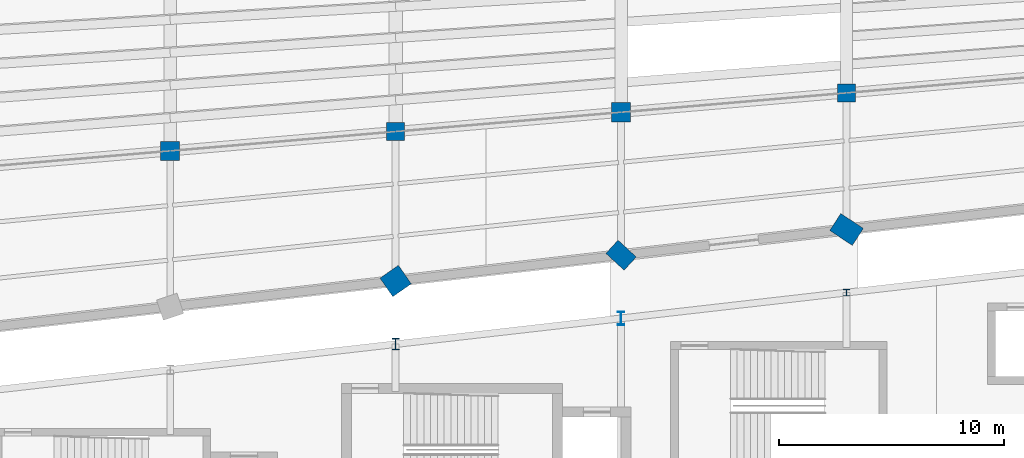
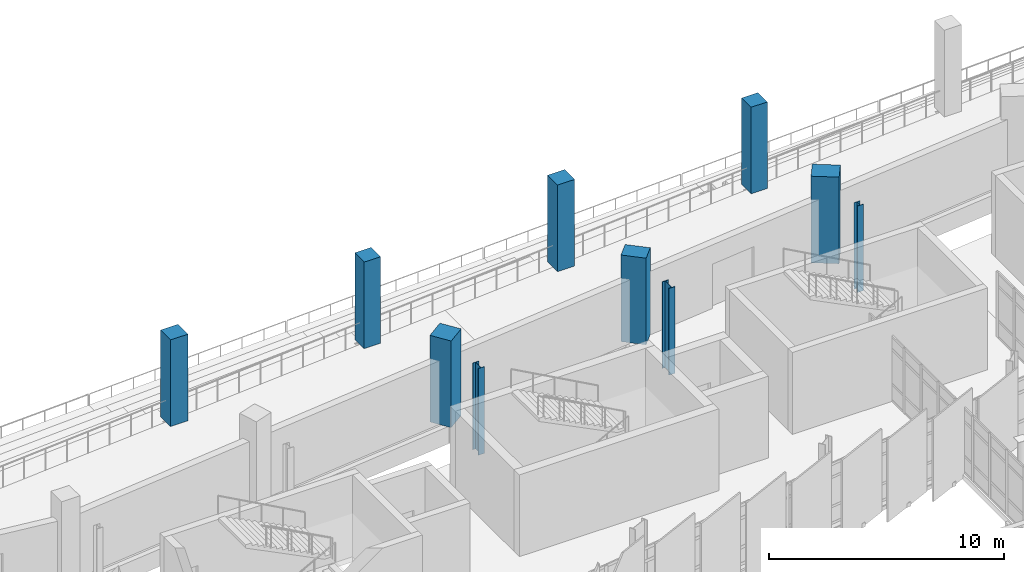
# One storey, part 9 of 134: 10 columns.
"""IFC4 building model written with IfcOpenShell, lengths in metres."""

from ifc_helpers import new_model, si_unit, direction, frame, origin, origin_2d, place, context, subcontext, project, spatial, rectangle, i_section, extrude, material, material_profile, profile_set, type_object, element, save


model = new_model("IFC4")

# Units and contexts
model_context = context("Model", 3, precision=1e-05, world=origin(), true_north=direction((0.0, 1.0)))
body_context = subcontext(model_context, "Body", "Model", "MODEL_VIEW")
ifc_project = project(units=[si_unit("LENGTHUNIT", "METRE"), si_unit("AREAUNIT", "SQUARE_METRE"), si_unit("VOLUMEUNIT", "CUBIC_METRE"), si_unit("PLANEANGLEUNIT", "RADIAN"), si_unit("MASSUNIT", "GRAM", prefix="KILO")], contexts=[model_context])

# Site, building, storey
site_placement = place(None, origin())
site = spatial("IfcSite", under=ifc_project, at=site_placement, CompositionType="ELEMENT")
building_placement = place(site_placement, origin())
building = spatial("IfcBuilding", under=site, at=building_placement, Name="Sohan Crest Arena", CompositionType="ELEMENT")
storey_placement = place(building_placement, frame((0.0, 0.0, 4.5)))
storey = spatial("IfcBuildingStorey", under=building, at=storey_placement, Name="L01", CompositionType="ELEMENT", Elevation=4.5)

# Columns
ifc_material_1 = material(Name="Concrete C40/50", Category="concrete")
ifc_material_profile_1 = material_profile(ifc_material_1, rectangle(XDim=0.800048828125, YDim=0.800048828125, at=origin_2d()), Name="RC 800x800")
ifc_profile_set_1 = profile_set([ifc_material_profile_1], Name="Concrete C40/50")
column_type_1 = type_object("IfcColumnType", Name="STR-COL-C05", PredefinedType="COLUMN", material=ifc_profile_set_1)
for number, where, z_axis, x_axis, name in (
    (1, (118.0, 55.9140625, 0.0), (0.0, 0.0, 1.0), (1.0, 0.0, 0.0), "Structural column COL-V1M-15-L01"),
    (2, (138.0, 57.62890625, 0.0), (0.0, 0.0, 1.0), (1.0, 0.0, 0.0), "Structural column COL-V1M-17-L01"),
):
    element("IfcColumn", number, at=place(storey_placement, frame(where, z_axis=z_axis, x_axis=x_axis)), inside=storey, type_object=column_type_1, Name=name, PredefinedType="COLUMN", context=body_context, shape_type="SweptSolid", body=[
        extrude(rectangle(XDim=0.800048828125, YDim=0.800048828125, at=origin_2d()), origin(), (0.0, 0.0, 1.0), 4.5),
    ])
ifc_material_profile_2 = material_profile(ifc_material_1, rectangle(XDim=0.85009765625, YDim=0.85009765625, at=origin_2d()), Name="RC 850x850")
ifc_profile_set_2 = profile_set([ifc_material_profile_2], Name="Concrete C40/50")
column_type_2 = type_object("IfcColumnType", Name="STR-COL-C06", PredefinedType="COLUMN", material=ifc_profile_set_2)
for number, where, z_axis, x_axis, name in (
    (3, (108.0, 55.056884765625, 0.0), (0.0, 0.0, 1.0), (1.0, 0.0, 0.0), "Structural column COL-V1M-14-L01"),
    (4, (128.0, 56.77099609375, 0.0), (0.0, 0.0, 1.0), (1.0, 0.0, 0.0), "Structural column COL-V1M-16-L01"),
):
    element("IfcColumn", number, at=place(storey_placement, frame(where, z_axis=z_axis, x_axis=x_axis)), inside=storey, type_object=column_type_2, Name=name, PredefinedType="COLUMN", context=body_context, shape_type="SweptSolid", body=[
        extrude(rectangle(XDim=0.85009765625, YDim=0.85009765625, at=origin_2d()), origin(), (0.0, 0.0, 1.0), 4.5),
    ])
ifc_material_profile_3 = material_profile(ifc_material_1, rectangle(XDim=1.0, YDim=1.0, at=origin_2d()), Name="RC 1000x1000")
ifc_profile_set_3 = profile_set([ifc_material_profile_3], Name="Concrete C40/50")
column_type_3 = type_object("IfcColumnType", Name="STR-COL-C09", PredefinedType="COLUMN", material=ifc_profile_set_3)
column_1_placement = place(storey_placement, frame((118.0, 49.285888671875, 0.0), z_axis=(0.0, 0.0, 1.0), x_axis=(-0.572145873446, 0.820151875874, 0.0)))
element("IfcColumn", 5, at=column_1_placement, inside=storey, type_object=column_type_3, Name="Structural column COL-V1R-15-L01", PredefinedType="COLUMN", context=body_context, shape_type="SweptSolid", body=[
    extrude(rectangle(XDim=1.0, YDim=1.0, at=origin_2d()), origin(), (0.0, 0.0, 1.0), 4.5),
])
ifc_material_profile_4 = material_profile(ifc_material_1, rectangle(XDim=1.10009765625, YDim=0.800048828125, at=origin_2d()), Name="RC 1100x800")
ifc_profile_set_4 = profile_set([ifc_material_profile_4], Name="Concrete C40/50")
column_type_4 = type_object("IfcColumnType", Name="STR-COL-C10", PredefinedType="COLUMN", material=ifc_profile_set_4)
column_2_placement = place(storey_placement, frame((128.0, 50.428955078125, 0.0), z_axis=(0.0, 0.0, 1.0), x_axis=(-0.73609708712, 0.676875969683, 0.0)))
element("IfcColumn", 6, at=column_2_placement, inside=storey, type_object=column_type_4, Name="Structural column COL-V1R-16-L01", PredefinedType="COLUMN", context=body_context, shape_type="SweptSolid", body=[
    extrude(rectangle(XDim=1.10009765625, YDim=0.800048828125, at=origin_2d()), origin(), (0.0, 0.0, 1.0), 4.5),
])
ifc_material_profile_5 = material_profile(ifc_material_1, rectangle(XDim=1.199951171875, YDim=0.89990234375, at=origin_2d()), Name="RC 1200x900")
ifc_profile_set_5 = profile_set([ifc_material_profile_5], Name="Concrete C40/50")
column_type_5 = type_object("IfcColumnType", Name="STR-COL-C11", PredefinedType="COLUMN", material=ifc_profile_set_5)
column_3_placement = place(storey_placement, frame((138.0, 51.571044921875, 0.0), z_axis=(0.0, 0.0, 1.0), x_axis=(-0.833885822067, 0.551936985312, 0.0)))
element("IfcColumn", 7, at=column_3_placement, inside=storey, type_object=column_type_5, Name="Structural column COL-V1R-17-L01", PredefinedType="COLUMN", context=body_context, shape_type="SweptSolid", body=[
    extrude(rectangle(XDim=1.199951171875, YDim=0.89990234375, at=origin_2d()), origin(), (0.0, 0.0, 1.0), 4.5),
])
ifc_material_2 = material(Name="Steel S355", Category="steel")
ifc_material_profile_6 = material_profile(ifc_material_2, i_section(OverallWidth=0.300048828125, OverallDepth=0.300048828125, WebThickness=0.010986328125, FlangeThickness=0.01904296875, at=origin_2d()), Name="HEB 300")
ifc_profile_set_6 = profile_set([ifc_material_profile_6], Name="Steel S355")
column_type_6 = type_object("IfcColumnType", Name="STR-COL-C17", PredefinedType="COLUMN", material=ifc_profile_set_6)
column_4_placement = place(storey_placement, frame((138.0, 48.77099609375, 0.0), z_axis=(0.0, 0.0, 1.0), x_axis=(1.0, 0.0, 0.0)))
element("IfcColumn", 8, at=column_4_placement, inside=storey, type_object=column_type_6, Name="Structural column COL-V2I-17-L01", PredefinedType="COLUMN", context=body_context, shape_type="SweptSolid", body=[
    extrude(i_section(OverallWidth=0.300048828125, OverallDepth=0.300048828125, WebThickness=0.010986328125, FlangeThickness=0.01904296875, at=origin_2d()), origin(), (0.0, 0.0, 1.0), 4.5),
])
ifc_material_profile_7 = material_profile(ifc_material_2, i_section(OverallWidth=0.300048828125, OverallDepth=0.5, WebThickness=0.014404296875, FlangeThickness=0.028076171875, at=origin_2d()), Name="HEB 500")
ifc_profile_set_7 = profile_set([ifc_material_profile_7], Name="Steel S355")
column_type_7 = type_object("IfcColumnType", Name="STR-COL-C19", PredefinedType="COLUMN", material=ifc_profile_set_7)
column_5_placement = place(storey_placement, frame((118.0, 46.486083984375, 0.0), z_axis=(0.0, 0.0, 1.0), x_axis=(1.0, 0.0, 0.0)))
element("IfcColumn", 9, at=column_5_placement, inside=storey, type_object=column_type_7, Name="Structural column COL-V2I-15-L01", PredefinedType="COLUMN", context=body_context, shape_type="SweptSolid", body=[
    extrude(i_section(OverallWidth=0.300048828125, OverallDepth=0.5, WebThickness=0.014404296875, FlangeThickness=0.028076171875, at=origin_2d()), origin(), (0.0, 0.0, 1.0), 4.5),
])
ifc_material_profile_8 = material_profile(ifc_material_2, i_section(OverallWidth=0.300048828125, OverallDepth=0.60009765625, WebThickness=0.015380859375, FlangeThickness=0.030029296875, at=origin_2d()), Name="HEB 600")
ifc_profile_set_8 = profile_set([ifc_material_profile_8], Name="Steel S355")
column_type_8 = type_object("IfcColumnType", Name="STR-COL-C20", PredefinedType="COLUMN", material=ifc_profile_set_8)
column_6_placement = place(storey_placement, frame((128.0, 47.62890625, 0.0), z_axis=(0.0, 0.0, 1.0), x_axis=(1.0, 0.0, 0.0)))
element("IfcColumn", 10, at=column_6_placement, inside=storey, type_object=column_type_8, Name="Structural column COL-V2I-16-L01", PredefinedType="COLUMN", context=body_context, shape_type="SweptSolid", body=[
    extrude(i_section(OverallWidth=0.300048828125, OverallDepth=0.60009765625, WebThickness=0.015380859375, FlangeThickness=0.030029296875, at=origin_2d()), origin(), (0.0, 0.0, 1.0), 4.5),
])

save(model, "model.ifc")
